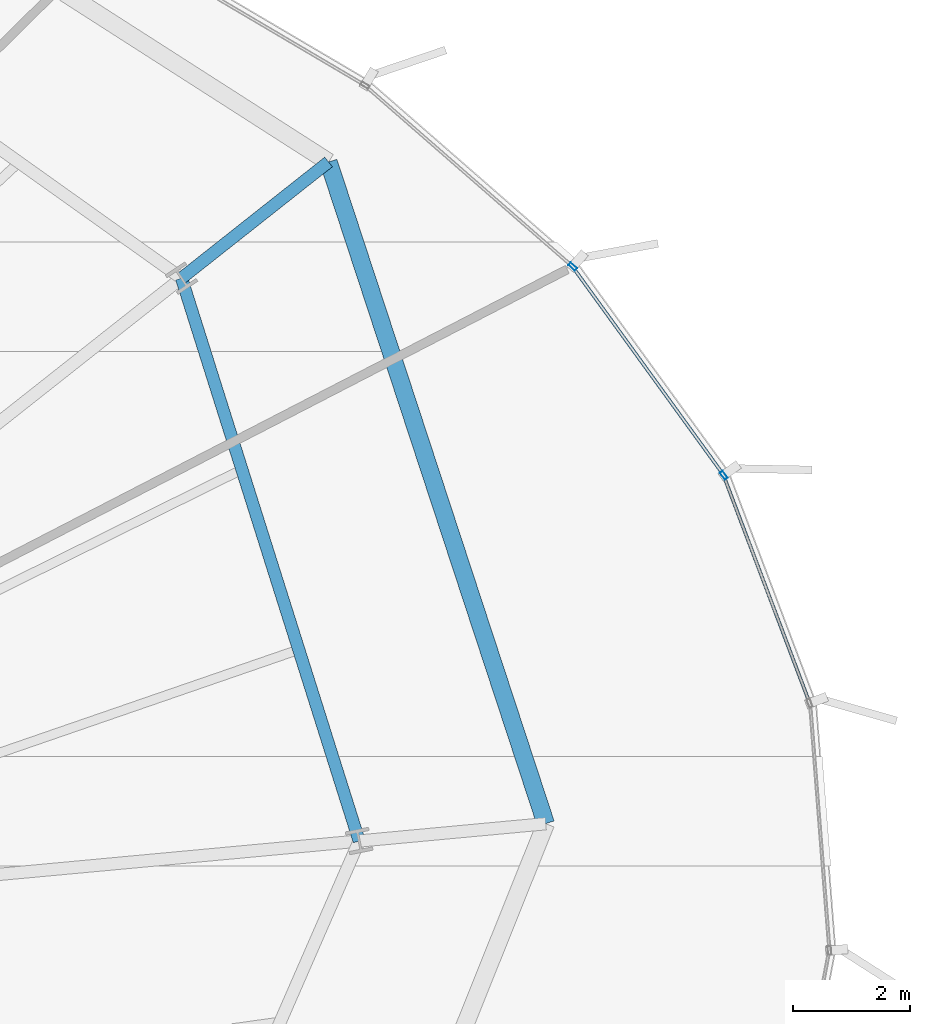
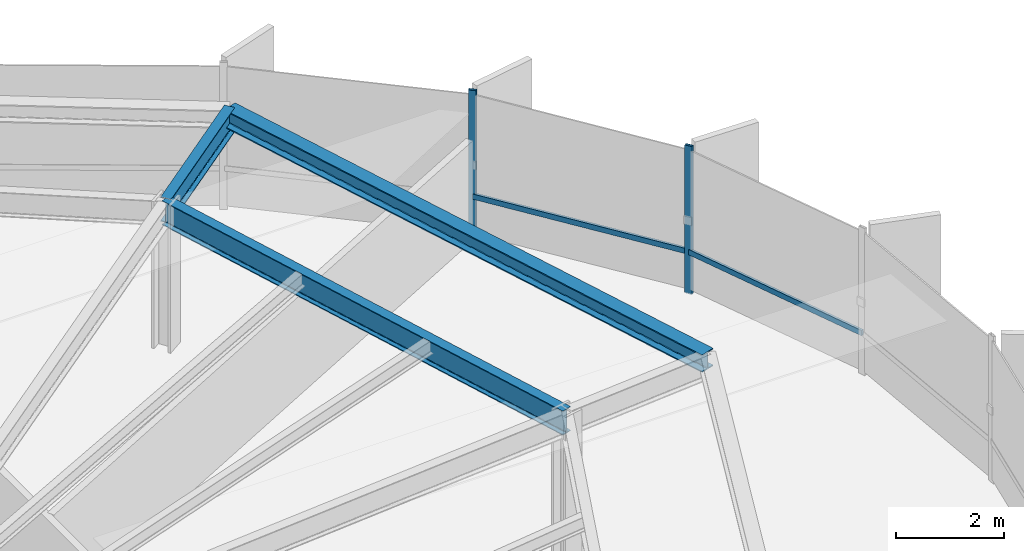
# One storey, part 24 of 35: 4 members, 3 beams, 1 element without a shape of its own.
"""IFC4 building model written with IfcOpenShell, lengths in metres."""

import ifcopenshell
import ifcopenshell.guid

model = None  # the IFC model being written
_history = None  # IfcOwnerHistory: only IFC2X3 demands one
_inside = {}  # id of a spatial element -> (the spatial element, [elements in it])
_under = {}  # id of a project, library or spatial element -> (it, [spatial elements below it])
_declared = {}  # id of a project -> (the project, [libraries it declares])
_typed = {}  # id of a type object -> (the type object, [elements of that type])
_made_of = {}  # id of a material, layer set ... -> (it, [elements and type objects made of it])


def new_model(schema):
    """Start an empty IFC model of exactly this schema.

    Asked for "IFC4X3", IfcOpenShell would pick the latest addendum, in which some entities
    have other attributes; the version numbers below select the first issue.
    IFC2X3 requires an IfcOwnerHistory on every rooted entity: one is made here for all.
    """
    global model, _history
    if schema == "IFC4X3":
        model = ifcopenshell.file(schema_version=(4, 3, 0, 0))
    else:
        model = ifcopenshell.file(schema=schema)
    _inside.clear()
    _under.clear()
    _declared.clear()
    _typed.clear()
    _made_of.clear()
    _history = None
    if model.schema == "IFC2X3":
        org = make("IfcOrganization", Name="unknown")
        user = make(
            "IfcPersonAndOrganization",
            ThePerson=make("IfcPerson", FamilyName="unknown"),
            TheOrganization=org,
        )
        app = make(
            "IfcApplication",
            ApplicationDeveloper=org,
            Version="unknown",
            ApplicationFullName="unknown",
            ApplicationIdentifier="unknown",
        )
        _history = make(
            "IfcOwnerHistory",
            OwningUser=user,
            OwningApplication=app,
            ChangeAction="ADDED",
            CreationDate=0,
        )
    return model


def make(cls, **values):
    """One entity of the class cls with the attributes given. An attribute that is None is left unset."""
    return model.create_entity(
        cls, **{name: value for name, value in values.items() if value is not None}
    )


def rooted(cls, **values):
    """An entity with a GlobalId (a new one), such as an element, a storey or a relation."""
    return make(cls, GlobalId=ifcopenshell.guid.new(), OwnerHistory=_history, **values)


def si_unit(unit_type, name, prefix=None):
    """IfcSIUnit, for example si_unit("LENGTHUNIT", "METRE", prefix="MILLI")."""
    return make("IfcSIUnit", UnitType=unit_type, Prefix=prefix, Name=name)


def assignment(units):
    """IfcUnitAssignment: the units of a project."""
    return None if units is None else make("IfcUnitAssignment", Units=units)


def point(xyz):
    """IfcCartesianPoint."""
    return None if xyz is None else make("IfcCartesianPoint", Coordinates=xyz)


def direction(xyz):
    """IfcDirection."""
    return None if xyz is None else make("IfcDirection", DirectionRatios=xyz)


def frame(location, z_axis=None, x_axis=None):
    """IfcAxis2Placement3D, a coordinate frame: its origin and axes. An axis left out is left unset."""
    return make(
        "IfcAxis2Placement3D",
        Location=point(location),
        Axis=direction(z_axis),
        RefDirection=direction(x_axis),
    )


def frame_2d(location, x_axis=None):
    """IfcAxis2Placement2D, a coordinate frame in the plane: its origin and x axis."""
    return make(
        "IfcAxis2Placement2D", Location=point(location), RefDirection=direction(x_axis)
    )


def origin():
    """The frame at (0, 0, 0) with its axes left unset."""
    return frame((0.0, 0.0, 0.0))


def origin_2d():
    """The frame at (0, 0) in the plane with its x axis left unset."""
    return frame_2d((0.0, 0.0))


def place(relative_to, where):
    """IfcLocalPlacement: puts the frame where relative to a parent placement (None: the world)."""
    return make(
        "IfcLocalPlacement", PlacementRelTo=relative_to, RelativePlacement=where
    )


def context(
    kind, dimensions, precision=None, world=None, true_north=None, identifier=None
):
    """IfcGeometricRepresentationContext, for example the 3D "Model" context."""
    return make(
        "IfcGeometricRepresentationContext",
        ContextIdentifier=identifier,
        ContextType=kind,
        CoordinateSpaceDimension=dimensions,
        Precision=precision,
        WorldCoordinateSystem=world,
        TrueNorth=true_north,
    )


def subcontext(parent, identifier, kind, view, scale=None):
    """IfcGeometricRepresentationSubContext, for example "Body" below "Model"."""
    return make(
        "IfcGeometricRepresentationSubContext",
        ContextIdentifier=identifier,
        ContextType=kind,
        ParentContext=parent,
        TargetScale=scale,
        TargetView=view,
    )


def project(units=None, contexts=None):
    """IfcProject with its units and contexts."""
    return rooted(
        "IfcProject",
        Name="project",
        RepresentationContexts=contexts,
        UnitsInContext=assignment(units),
    )


def spatial(cls, under=None, at=None, **own):
    """A site, building, storey or space (cls), placed at a placement, below another one or the project."""
    s = rooted(cls, ObjectPlacement=at, **own)
    if under is not None:
        _under.setdefault(under.id(), (under, []))[1].append(s)
    return s


def profile(cls, at=None, kind="AREA", **sizes):
    """A parametric profile (cls). Its sizes go by their IFC names, for example OverallWidth=200.0."""
    return make(cls, ProfileType=kind, Position=at, **sizes)


def hollow_rectangle(**sizes):
    """IfcRectangleHollowProfileDef."""
    return profile("IfcRectangleHollowProfileDef", **sizes)


def i_section(**sizes):
    """IfcIShapeProfileDef."""
    return profile("IfcIShapeProfileDef", **sizes)


def extrude(swept, where, along, depth):
    """IfcExtrudedAreaSolid: the profile swept, set in the frame where, extruded along a direction by depth."""
    return make(
        "IfcExtrudedAreaSolid",
        SweptArea=swept,
        Position=where,
        ExtrudedDirection=direction(along),
        Depth=depth,
    )


def shape(context_of_items, identifier, shape_type, items):
    """IfcShapeRepresentation: the items that make up one representation, for example the "Body"."""
    return make(
        "IfcShapeRepresentation",
        ContextOfItems=context_of_items,
        RepresentationIdentifier=identifier,
        RepresentationType=shape_type,
        Items=items,
    )


def source(mapping_origin, context_of_items, identifier, shape_type, items):
    """IfcRepresentationMap: a shape defined once, which mapped items show again and again."""
    return make(
        "IfcRepresentationMap",
        MappingOrigin=mapping_origin,
        MappedRepresentation=shape(context_of_items, identifier, shape_type, items),
    )


def transform(
    local_origin,
    x_axis=None,
    y_axis=None,
    z_axis=None,
    scale=None,
    scale2=None,
    scale3=None,
    uniform=True,
):
    """IfcCartesianTransformationOperator3D, or its non-uniform kind. x_axis, y_axis, z_axis: its Axis1, 2, 3."""
    if uniform:
        return make(
            "IfcCartesianTransformationOperator3D",
            Axis1=direction(x_axis),
            Axis2=direction(y_axis),
            LocalOrigin=point(local_origin),
            Scale=scale,
            Axis3=direction(z_axis),
        )
    return make(
        "IfcCartesianTransformationOperator3DnonUniform",
        Axis1=direction(x_axis),
        Axis2=direction(y_axis),
        LocalOrigin=point(local_origin),
        Scale=scale,
        Axis3=direction(z_axis),
        Scale2=scale2,
        Scale3=scale3,
    )


def mapped(mapping_source, mapping_target):
    """IfcMappedItem: shows the shape of a source again, moved by a transform."""
    return make(
        "IfcMappedItem", MappingSource=mapping_source, MappingTarget=mapping_target
    )


def material(Name=None, Category=None):
    """IfcMaterial."""
    return make("IfcMaterial", Name=Name, Category=Category)


def layer(
    of_material, thickness, ventilated=None, Name=None, Category=None, Priority=None
):
    """IfcMaterialLayer: one layer of a wall or slab, of a material (None: an air gap)."""
    return make(
        "IfcMaterialLayer",
        Material=of_material,
        LayerThickness=thickness,
        IsVentilated=ventilated,
        Name=Name,
        Category=Category,
        Priority=Priority,
    )


def layer_set(layers, Name=None):
    """IfcMaterialLayerSet."""
    return make("IfcMaterialLayerSet", MaterialLayers=layers, LayerSetName=Name)


def material_profile(
    of_material, cross_section, Name=None, Category=None, Priority=None
):
    """IfcMaterialProfile: a cross section and its material."""
    return make(
        "IfcMaterialProfile",
        Name=Name,
        Material=of_material,
        Profile=cross_section,
        Priority=Priority,
        Category=Category,
    )


def profile_set(profiles, Name=None, composite=None):
    """IfcMaterialProfileSet."""
    return make(
        "IfcMaterialProfileSet",
        Name=Name,
        MaterialProfiles=profiles,
        CompositeProfile=composite,
    )


def made_of(thing, what):
    """Note that an element or type object is made of a material, layer set ...; save() writes the relation."""
    if what is not None:
        _made_of.setdefault(what.id(), (what, []))[1].append(thing)
    return thing


def type_object(cls, material=None, **own):
    """A type object (cls), such as IfcWallType, which elements share."""
    return made_of(rooted(cls, **own), material)


def element(
    cls,
    number,
    at=None,
    inside=None,
    cuts=None,
    type_object=None,
    material=None,
    context=None,
    identifier="Body",
    shape_type=None,
    held_by="IfcProductDefinitionShape",
    body=None,
    shapes=None,
    **own,
):
    """One element of the class cls, such as IfcWall. Its Tag is "e" and its number.

    at: its placement. inside: the storey or other place that contains it. cuts: it is an
    opening in that element (IfcRelVoidsElement). A single representation is given by context,
    identifier, shape_type and body (its items); several are given by shapes. held_by: the class
    of the entity that holds the representations. save() writes the other relations.
    """
    e = rooted(cls, Tag="e%d" % number, ObjectPlacement=at, **own)
    if body is not None:
        shapes = [shape(context, identifier, shape_type, body)]
    if shapes is not None:
        e.Representation = make(held_by, Representations=shapes)
    if inside is not None:
        _inside.setdefault(inside.id(), (inside, []))[1].append(e)
    if cuts is not None:
        rooted(
            "IfcRelVoidsElement", RelatingBuildingElement=cuts, RelatedOpeningElement=e
        )
    if type_object is not None:
        _typed.setdefault(type_object.id(), (type_object, []))[1].append(e)
    return made_of(e, material)


def aggregate(whole, parts):
    """IfcRelAggregates: a whole, such as a stair, and the parts it consists of."""
    return rooted("IfcRelAggregates", RelatingObject=whole, RelatedObjects=parts)


def save(model, path):
    """Write the relations noted so far, then the file.

    IfcRelAggregates (storeys below a building ...), IfcRelContainedInSpatialStructure (elements
    in a storey), IfcRelDefinesByType, IfcRelAssociatesMaterial and IfcRelDeclares: one each for
    every whole, place, type object, material and project.
    """
    for whole, parts in _under.values():
        aggregate(whole, parts)
    for where, things in _inside.values():
        rooted(
            "IfcRelContainedInSpatialStructure",
            RelatedElements=things,
            RelatingStructure=where,
        )
    for kind, things in _typed.values():
        rooted("IfcRelDefinesByType", RelatedObjects=things, RelatingType=kind)
    for what, things in _made_of.values():
        rooted("IfcRelAssociatesMaterial", RelatedObjects=things, RelatingMaterial=what)
    for by, libraries in _declared.values():
        rooted("IfcRelDeclares", RelatingContext=by, RelatedDefinitions=libraries)
    model.write(path)


model = new_model("IFC4")

# Units and contexts
model_context = context("Model", 3, precision=1e-05, world=origin(), true_north=direction((0.0, 1.0)))
body_context = subcontext(model_context, "Body", "Model", "MODEL_VIEW")
ifc_project = project(units=[si_unit("LENGTHUNIT", "METRE"), si_unit("AREAUNIT", "SQUARE_METRE"), si_unit("VOLUMEUNIT", "CUBIC_METRE"), si_unit("PLANEANGLEUNIT", "RADIAN"), si_unit("MASSUNIT", "GRAM", prefix="KILO"), si_unit("THERMODYNAMICTEMPERATUREUNIT", "KELVIN")], contexts=[model_context])

# Site, building, storey
site_placement = place(None, origin())
site = spatial("IfcSite", under=ifc_project, at=site_placement, CompositionType="ELEMENT")
building_placement = place(site_placement, origin())
building = spatial("IfcBuilding", under=site, at=building_placement, Name="Kethvar Cultural Tower", CompositionType="ELEMENT")
storey_placement = place(building_placement, frame((0.0, 0.0, 85.60009765625)))
storey = spatial("IfcBuildingStorey", under=building, at=storey_placement, Name="L20", CompositionType="ELEMENT", Elevation=85.60009765625)

# Beams
ifc_material_1 = material(Name="Steel S355J2", Category="steel")
ifc_material_profile_1 = material_profile(ifc_material_1, i_section(OverallWidth=0.2099609375, OverallDepth=0.550048828125, WebThickness=0.010986328125, FlangeThickness=0.01708984375, FilletRadius=0.02392578125, at=origin_2d()), Name="Steel S355J2 — IPE550")
ifc_profile_set_1 = profile_set([ifc_material_profile_1], Name="Steel S355J2 — IPE550")
beam_type_1 = type_object("IfcBeamType", Name="BM-IPE550", PredefinedType="BEAM", material=ifc_profile_set_1)
shared_shape_1 = source(origin(), body_context, "Body", "SweptSolid", [
    extrude(i_section(OverallWidth=0.2099609375, OverallDepth=0.550048828125, WebThickness=0.010986328125, FlangeThickness=0.01708984375, FilletRadius=0.02392578125, at=origin_2d()), origin(), (0.0, 0.0, 1.0), 3.2001953125),
])
beam_1_placement = place(storey_placement, frame((68.568603515625, 42.34521484375, 3.072998046875), z_axis=(0.784650322996, 0.619938602301, 0.0), x_axis=(-0.619938602301, 0.784650322996, 0.0)))
element("IfcBeam", 1, at=beam_1_placement, inside=storey, type_object=beam_type_1, Name="L20 Perimeter Cantilever Beam RC-02", PredefinedType="BEAM", context=body_context, shape_type="MappedRepresentation", body=[
    mapped(shared_shape_1, transform((0.0, 0.0, 0.0), scale=1.0)),
])
shared_shape_2 = source(origin(), body_context, "Body", "SweptSolid", [
    extrude(i_section(OverallWidth=0.2099609375, OverallDepth=0.550048828125, WebThickness=0.010986328125, FlangeThickness=0.01708984375, FilletRadius=0.02392578125, at=origin_2d()), origin(), (0.0, 0.0, 1.0), 10.079345703125),
])
beam_2_placement = place(storey_placement, frame((71.6025390625, 32.7333984375, 3.072998046875), z_axis=(-0.301007326566, 0.953621827222, 0.0), x_axis=(-0.953621827222, -0.301007326566, 0.0)))
element("IfcBeam", 2, at=beam_2_placement, inside=storey, type_object=beam_type_1, Name="L20 Column Ring Tie Beam CR-01", PredefinedType="BEAM", context=body_context, shape_type="MappedRepresentation", body=[
    mapped(shared_shape_2, transform((0.0, 0.0, 0.0), scale=1.0)),
])
ifc_material_profile_2 = material_profile(ifc_material_1, i_section(OverallWidth=0.300048828125, OverallDepth=0.39990234375, WebThickness=0.013427734375, FlangeThickness=0.02392578125, FilletRadius=0.027099609375, at=origin_2d()), Name="Steel S355J2 — HEB400")
ifc_profile_set_2 = profile_set([ifc_material_profile_2], Name="Steel S355J2 — HEB400")
beam_type_2 = type_object("IfcBeamType", Name="BM-SP400", PredefinedType="SPANDREL", material=ifc_profile_set_2)
shared_shape_3 = source(origin(), body_context, "Body", "SweptSolid", [
    extrude(i_section(OverallWidth=0.300048828125, OverallDepth=0.39990234375, WebThickness=0.013427734375, FlangeThickness=0.02392578125, FilletRadius=0.027099609375, at=origin_2d()), origin(), (0.0, 0.0, 1.0), 11.8935546875),
])
beam_3_placement = place(storey_placement, frame((74.788818359375, 33.02880859375, 3.14794921875), z_axis=(-0.311870604739, 0.95012458441, 0.0), x_axis=(-0.95012458441, -0.311870604739, 0.0)))
element("IfcBeam", 3, at=beam_3_placement, inside=storey, type_object=beam_type_2, Name="L20 Perimeter Spandrel Beam SP-01", PredefinedType="SPANDREL", context=body_context, shape_type="MappedRepresentation", body=[
    mapped(shared_shape_3, transform((0.0, 0.0, 0.0), scale=1.0)),
])

# Curtain wall, members
ifc_material_2 = material(Name="Aluminium 6063-T6", Category="aluminium")
ifc_layer = layer(ifc_material_2, 0.179931640625, Name="Aluminium 6063-T6", Category="aluminium")
ifc_layer_set = layer_set([ifc_layer], Name="Aluminium 6063-T6 (180 mm)")
curtain_wall_type = type_object("IfcCurtainWallType", Name="CW-SYS-03-Z2", PredefinedType="NOTDEFINED", material=ifc_layer_set)
curtain_wall_placement = place(storey_placement, origin())
curtain_wall = element("IfcCurtainWall", 4, at=curtain_wall_placement, inside=storey, type_object=curtain_wall_type, Name="L20 Curtain Wall Run 01", PredefinedType="NOTDEFINED")
ifc_material_profile_3 = material_profile(ifc_material_2, hollow_rectangle(XDim=0.06005859375, YDim=0.14990234375, WallThickness=0.0048828125, at=origin_2d()), Name="Aluminium 6063-T6 — RHS150x60x5")
ifc_profile_set_3 = profile_set([ifc_material_profile_3], Name="Aluminium 6063-T6 — RHS150x60x5")
member_type_1 = type_object("IfcMemberType", Name="CW-SYS-03-Z2-MUL", PredefinedType="MULLION", material=ifc_profile_set_3)
shared_shape_4 = source(origin(), body_context, "Body", "SweptSolid", [
    extrude(hollow_rectangle(XDim=0.06005859375, YDim=0.14990234375, WallThickness=0.0048828125, at=origin_2d()), origin(), (0.0, 0.0, 1.0), 3.349853515625),
])
member_1_placement = place(storey_placement, frame((77.82763671875, 38.98046875, 0.0), z_axis=(0.0, 0.0, 1.0), x_axis=(-0.809519379071, -0.587093156925, 0.0)))
member_1 = element("IfcMember", 5, at=member_1_placement, type_object=member_type_1, Name="CW-L20-R01 Mullion 2", PredefinedType="MULLION", context=body_context, shape_type="MappedRepresentation", body=[
    mapped(shared_shape_4, transform((0.0, 0.0, 0.0), scale=1.0)),
])
member_2_placement = place(storey_placement, frame((75.248291015625, 42.5419921875, 0.0), z_axis=(0.0, 0.0, 1.0), x_axis=(-0.657309482479, -0.753620756245, 0.0)))
member_2 = element("IfcMember", 6, at=member_2_placement, type_object=member_type_1, Name="CW-L20-R01 Mullion 3", PredefinedType="MULLION", context=body_context, shape_type="MappedRepresentation", body=[
    mapped(shared_shape_4, transform((0.0, 0.0, 0.0), scale=1.0)),
])
ifc_material_profile_4 = material_profile(ifc_material_2, hollow_rectangle(XDim=0.054931640625, YDim=0.1201171875, WallThickness=0.00390625, at=origin_2d()), Name="Aluminium 6063-T6 — RHS120x55x4")
ifc_profile_set_4 = profile_set([ifc_material_profile_4], Name="Aluminium 6063-T6 — RHS120x55x4")
member_type_2 = type_object("IfcMemberType", Name="CW-SYS-03-Z2-TRN", PredefinedType="USERDEFINED", material=ifc_profile_set_4)
shared_shape_5 = source(origin(), body_context, "Body", "SweptSolid", [
    extrude(hollow_rectangle(XDim=0.054931640625, YDim=0.1201171875, WallThickness=0.00390625, at=origin_2d()), origin(), (0.0, 0.0, 1.0), 4.14404296875),
])
member_3_placement = place(storey_placement, frame((79.29443359375, 35.090576171875, 0.949951171875), z_axis=(-0.353711024059, 0.935354751663, 0.0), x_axis=(-0.935354751663, -0.353711024059, 0.0)))
member_3 = element("IfcMember", 7, at=member_3_placement, type_object=member_type_2, Name="CW-L20-R01 Transom 1", ObjectType="TRANSOM", PredefinedType="USERDEFINED", context=body_context, shape_type="MappedRepresentation", body=[
    mapped(shared_shape_5, transform((0.0, 0.0, 0.0), scale=1.0)),
])
shared_shape_6 = source(origin(), body_context, "Body", "SweptSolid", [
    extrude(hollow_rectangle(XDim=0.054931640625, YDim=0.1201171875, WallThickness=0.00390625, at=origin_2d()), origin(), (0.0, 0.0, 1.0), 4.3369140625),
])
member_4_placement = place(storey_placement, frame((77.80224609375, 39.015380859375, 0.949951171875), z_axis=(-0.587069957907, 0.809536203343, 0.0), x_axis=(-0.809536203343, -0.587069957907, 0.0)))
member_4 = element("IfcMember", 8, at=member_4_placement, type_object=member_type_2, Name="CW-L20-R01 Transom 2", ObjectType="TRANSOM", PredefinedType="USERDEFINED", context=body_context, shape_type="MappedRepresentation", body=[
    mapped(shared_shape_6, transform((0.0, 0.0, 0.0), scale=1.0)),
])
aggregate(curtain_wall, [member_1, member_2, member_3, member_4])

save(model, "model.ifc")
